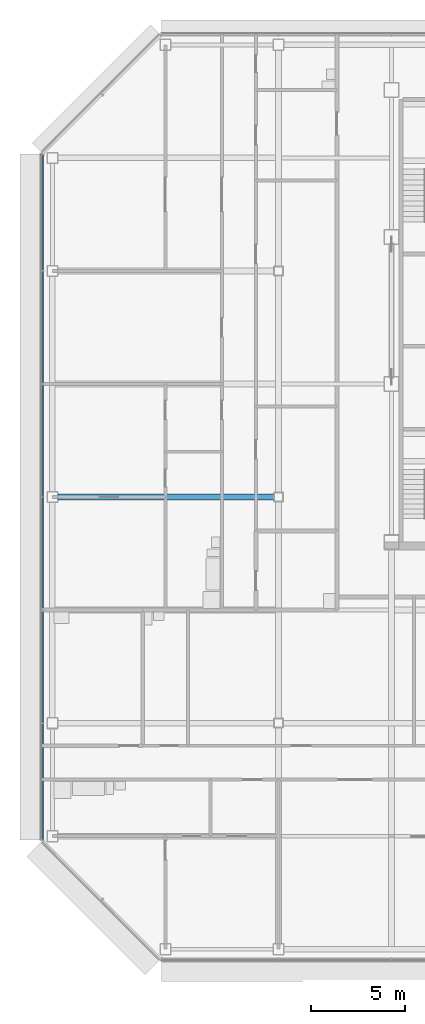
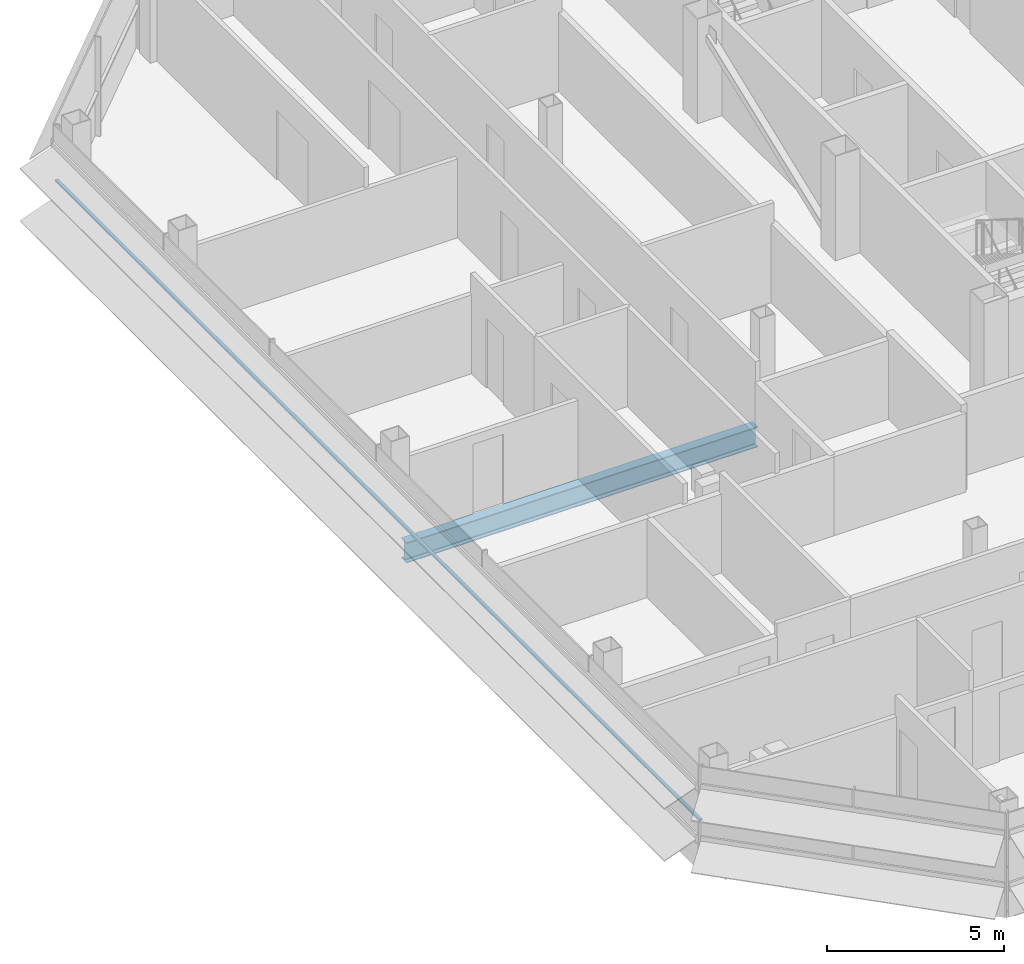
# One storey, part 7 of 30: 1 beam, 1 member, 1 element without a shape of its own.
"""IFC4 building model written with IfcOpenShell, lengths in metres."""

from ifc_helpers import new_model, si_unit, direction, frame, origin, origin_2d, place, context, subcontext, project, spatial, rectangle, i_section, extrude, material, material_profile, profile_set, type_object, element, aggregate, save


model = new_model("IFC4")

# Units and contexts
model_context = context("Model", 3, precision=1e-05, world=origin(), true_north=direction((0.0, 1.0)))
body_context = subcontext(model_context, "Body", "Model", "MODEL_VIEW")
ifc_project = project(units=[si_unit("LENGTHUNIT", "METRE"), si_unit("AREAUNIT", "SQUARE_METRE"), si_unit("VOLUMEUNIT", "CUBIC_METRE"), si_unit("PLANEANGLEUNIT", "RADIAN"), si_unit("MASSUNIT", "GRAM", prefix="KILO")], contexts=[model_context])

# Site, building, storey
site_placement = place(None, origin())
site = spatial("IfcSite", under=ifc_project, at=site_placement, CompositionType="ELEMENT")
building_placement = place(site_placement, origin())
building = spatial("IfcBuilding", under=site, at=building_placement, Name="Sorahane Residences", CompositionType="ELEMENT")
storey_placement = place(building_placement, frame((0.0, 0.0, 263.0)))
storey = spatial("IfcBuildingStorey", under=building, at=storey_placement, Name="L62", CompositionType="ELEMENT", Elevation=263.0)

# Curtain wall, member
ifc_material_1 = material(Name="Dark low-e glass and black anodised aluminium", Category="aluminium")
curtain_wall_type = type_object("IfcCurtainWallType", Name="Curtain wall CW-1 Typical unitised wall", PredefinedType="NOTDEFINED", material=ifc_material_1)
curtain_wall_placement = place(storey_placement, origin())
curtain_wall = element("IfcCurtainWall", 1, at=curtain_wall_placement, inside=storey, type_object=curtain_wall_type, Name="CW-1 curtain wall L62 W2", PredefinedType="NOTDEFINED")
ifc_material_2 = material(Name="Black anodised aluminium", Category="aluminium")
ifc_material_profile_1 = material_profile(ifc_material_2, rectangle(XDim=0.10009765625, YDim=0.06005859375, at=origin_2d()), Name="Curtain wall transom CW-1 black anodised aluminium 60x100")
ifc_profile_set_1 = profile_set([ifc_material_profile_1], Name="Black anodised aluminium")
member_type = type_object("IfcMemberType", Name="Curtain wall transom CW-1 black anodised aluminium 60x100", PredefinedType="USERDEFINED", material=ifc_profile_set_1)
member_placement = place(storey_placement, frame((-12.530029296875, 42.198486328125, 1.5), z_axis=(0.0, -1.0, 0.0), x_axis=(1.0, 0.0, 0.0)))
member = element("IfcMember", 2, at=member_placement, type_object=member_type, Name="CW-1 transom L62 W2", ObjectType="TRANSOM", PredefinedType="USERDEFINED", context=body_context, shape_type="SweptSolid", body=[
    extrude(rectangle(XDim=0.10009765625, YDim=0.06005859375, at=origin_2d()), origin(), (0.0, 0.0, 1.0), 36.39697265625),
])
aggregate(curtain_wall, [member])

# Beam
ifc_material_3 = material(Name="Steel Q355B", Category="steel")
ifc_material_profile_2 = material_profile(ifc_material_3, i_section(OverallWidth=0.300048828125, OverallDepth=0.699951171875, WebThickness=0.012939453125, FlangeThickness=0.02392578125, FilletRadius=0.028076171875, at=origin_2d()), Name="HN 700x300x13x24")
ifc_profile_set_2 = profile_set([ifc_material_profile_2], Name="Steel Q355B")
beam_type = type_object("IfcBeamType", Name="Steel floor beam HN 700x300x13x24 Q355B", PredefinedType="BEAM", material=ifc_profile_set_2)
beam_placement = place(storey_placement, frame((-11.699951171875, 24.0, -0.530029296875), z_axis=(1.0, 0.0, 0.0), x_axis=(0.0, 1.0, 0.0)))
element("IfcBeam", 3, at=beam_placement, inside=storey, type_object=beam_type, Name="Beam L62 010", PredefinedType="BEAM", context=body_context, shape_type="SweptSolid", body=[
    extrude(i_section(OverallWidth=0.300048828125, OverallDepth=0.699951171875, WebThickness=0.012939453125, FlangeThickness=0.02392578125, FilletRadius=0.028076171875, at=origin_2d()), origin(), (0.0, 0.0, 1.0), 11.449951171875),
])

save(model, "model.ifc")
